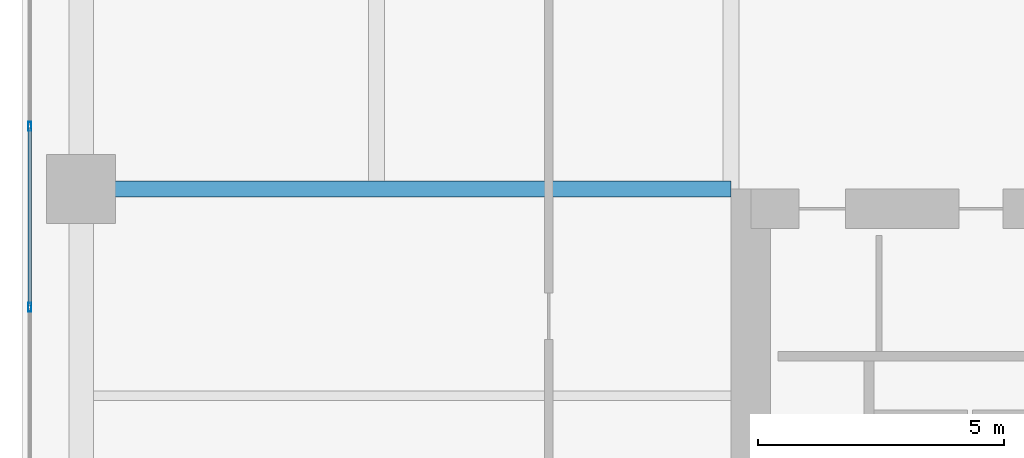
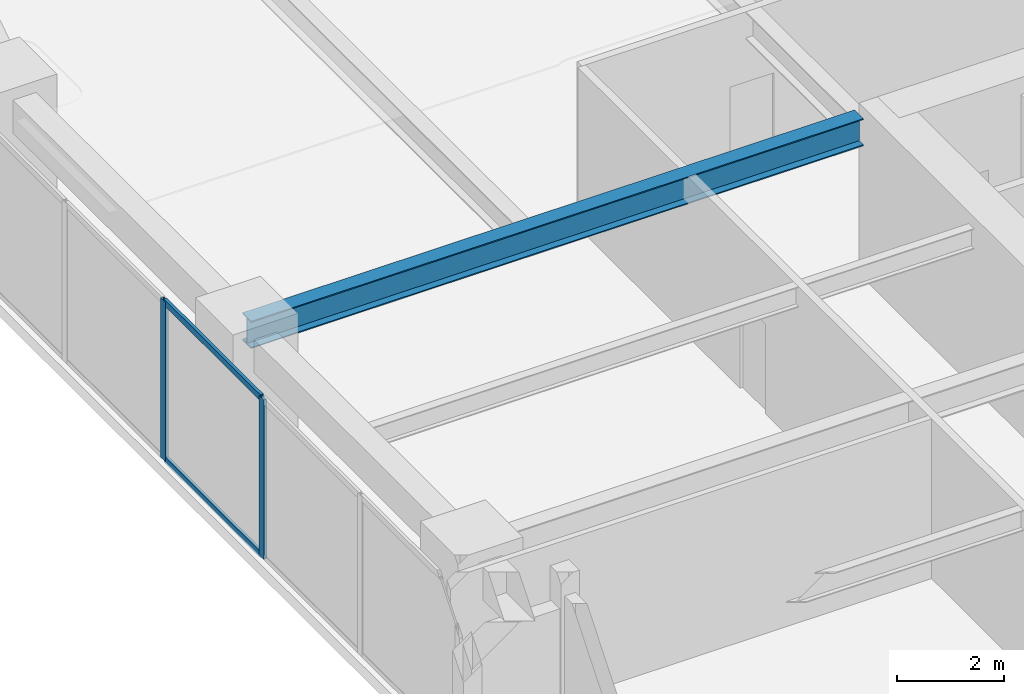
# One storey, part 8 of 24: 4 members, 1 beam, 1 element without a shape of its own.
"""IFC4 building model written with IfcOpenShell, lengths in metres."""

from ifc_helpers import new_model, si_unit, direction, frame, origin, origin_2d, place, context, subcontext, project, spatial, hollow_rectangle, i_section, extrude, material, layer, layer_set, material_profile, profile_set, type_object, element, aggregate, save


model = new_model("IFC4")

# Units and contexts
model_context = context("Model", 3, precision=1e-05, world=origin(), true_north=direction((0.0, 1.0)))
body_context = subcontext(model_context, "Body", "Model", "MODEL_VIEW")
ifc_project = project(units=[si_unit("LENGTHUNIT", "METRE"), si_unit("AREAUNIT", "SQUARE_METRE"), si_unit("VOLUMEUNIT", "CUBIC_METRE"), si_unit("PLANEANGLEUNIT", "RADIAN"), si_unit("MASSUNIT", "GRAM", prefix="KILO")], contexts=[model_context])

# Site, building, storey
site_placement = place(None, origin())
site = spatial("IfcSite", under=ifc_project, at=site_placement, CompositionType="ELEMENT")
building_placement = place(site_placement, origin())
building = spatial("IfcBuilding", under=site, at=building_placement, Name="Kiyonajd Concourse Tower", CompositionType="ELEMENT")
storey_placement = place(building_placement, frame((0.0, 0.0, 109.199951171875)))
storey = spatial("IfcBuildingStorey", under=building, at=storey_placement, Name="L28", CompositionType="ELEMENT", Elevation=109.199951171875)

# Beam
ifc_material_1 = material(Name="Steel ASTM A992 Grade 50", Category="steel")
ifc_material_profile_1 = material_profile(ifc_material_1, i_section(OverallWidth=0.326904296875, OverallDepth=0.6220703125, WebThickness=0.015380859375, FlangeThickness=0.0244140625, at=origin_2d()), Name="W610X195")
ifc_profile_set_1 = profile_set([ifc_material_profile_1], Name="Steel ASTM A992 Grade 50")
beam_type = type_object("IfcBeamType", Name="BM-TWR-610A", PredefinedType="BEAM", material=ifc_profile_set_1)
beam_placement = place(storey_placement, frame((19.199951171875, 44.39990234375, 3.3291015625), z_axis=(1.0, 0.0, 0.0), x_axis=(0.0, 1.0, 0.0)))
element("IfcBeam", 1, at=beam_placement, inside=storey, type_object=beam_type, Name="L28 West Lease Girder", PredefinedType="BEAM", context=body_context, shape_type="SweptSolid", body=[
    extrude(i_section(OverallWidth=0.326904296875, OverallDepth=0.6220703125, WebThickness=0.015380859375, FlangeThickness=0.0244140625, at=origin_2d()), origin(), (0.0, 0.0, 1.0), 13.199951171875),
])

# Curtain wall, members
ifc_material_2 = material(Name="Thermally Broken Anodised Aluminium", Category="aluminium")
ifc_layer = layer(ifc_material_2, 0.179931640625)
ifc_layer_set = layer_set([ifc_layer], Name="Thermally Broken Anodised Aluminium")
curtain_wall_type = type_object("IfcCurtainWallType", Name="CW-SYS-03", PredefinedType="NOTDEFINED", material=ifc_layer_set)
curtain_wall_placement = place(storey_placement, origin())
curtain_wall = element("IfcCurtainWall", 2, at=curtain_wall_placement, inside=storey, type_object=curtain_wall_type, Name="L28 Unitised Curtain Wall CW3", PredefinedType="NOTDEFINED")
ifc_material_profile_2 = material_profile(ifc_material_2, hollow_rectangle(XDim=0.06494140625, YDim=0.179931640625, WallThickness=0.00390625, at=origin_2d()), Name="MULL-65x180")
ifc_profile_set_2 = profile_set([ifc_material_profile_2], Name="Thermally Broken Anodised Aluminium")
member_type_1 = type_object("IfcMemberType", Name="MB-CW-MULL1", PredefinedType="MULLION", material=ifc_profile_set_2)
member_1_placement = place(storey_placement, frame((18.159912109375, 41.996337890625, 0.0), z_axis=(0.0, 0.0, 1.0), x_axis=(-1.0, 0.0, 0.0)))
member_1 = element("IfcMember", 3, at=member_1_placement, type_object=member_type_1, Name="CW3 mullion 3", PredefinedType="MULLION", context=body_context, shape_type="SweptSolid", body=[
    extrude(hollow_rectangle(XDim=0.06494140625, YDim=0.179931640625, WallThickness=0.00390625, at=origin_2d()), origin(), (0.0, 0.0, 1.0), 3.64013671875),
])
member_2_placement = place(storey_placement, frame((18.159912109375, 45.66943359375, 0.0), z_axis=(0.0, 0.0, 1.0), x_axis=(-1.0, 0.0, 0.0)))
member_2 = element("IfcMember", 4, at=member_2_placement, type_object=member_type_1, Name="CW3 mullion 4", PredefinedType="MULLION", context=body_context, shape_type="SweptSolid", body=[
    extrude(hollow_rectangle(XDim=0.06494140625, YDim=0.179931640625, WallThickness=0.00390625, at=origin_2d()), origin(), (0.0, 0.0, 1.0), 3.64013671875),
])
ifc_material_profile_3 = material_profile(ifc_material_2, hollow_rectangle(XDim=0.06494140625, YDim=0.139892578125, WallThickness=0.00390625, at=origin_2d()), Name="TRAN-65x140")
ifc_profile_set_3 = profile_set([ifc_material_profile_3], Name="Thermally Broken Anodised Aluminium")
member_type_2 = type_object("IfcMemberType", Name="MB-CW-TRAN1", PredefinedType="USERDEFINED", material=ifc_profile_set_3)
member_3_placement = place(storey_placement, frame((18.159912109375, 42.02880859375, 0.032470703125), z_axis=(0.0, 1.0, 0.0), x_axis=(-1.0, 0.0, 0.0)))
member_3 = element("IfcMember", 5, at=member_3_placement, type_object=member_type_2, Name="CW3 transom 3.1", ObjectType="TRANSOM", PredefinedType="USERDEFINED", context=body_context, shape_type="SweptSolid", body=[
    extrude(hollow_rectangle(XDim=0.06494140625, YDim=0.139892578125, WallThickness=0.00390625, at=origin_2d()), origin(), (0.0, 0.0, 1.0), 3.608154296875),
])
member_4_placement = place(storey_placement, frame((18.159912109375, 42.02880859375, 3.607666015625), z_axis=(0.0, 1.0, 0.0), x_axis=(-1.0, 0.0, 0.0)))
member_4 = element("IfcMember", 6, at=member_4_placement, type_object=member_type_2, Name="CW3 transom 3.2", ObjectType="TRANSOM", PredefinedType="USERDEFINED", context=body_context, shape_type="SweptSolid", body=[
    extrude(hollow_rectangle(XDim=0.06494140625, YDim=0.139892578125, WallThickness=0.00390625, at=origin_2d()), origin(), (0.0, 0.0, 1.0), 3.608154296875),
])
aggregate(curtain_wall, [member_1, member_2, member_3, member_4])

save(model, "model.ifc")
